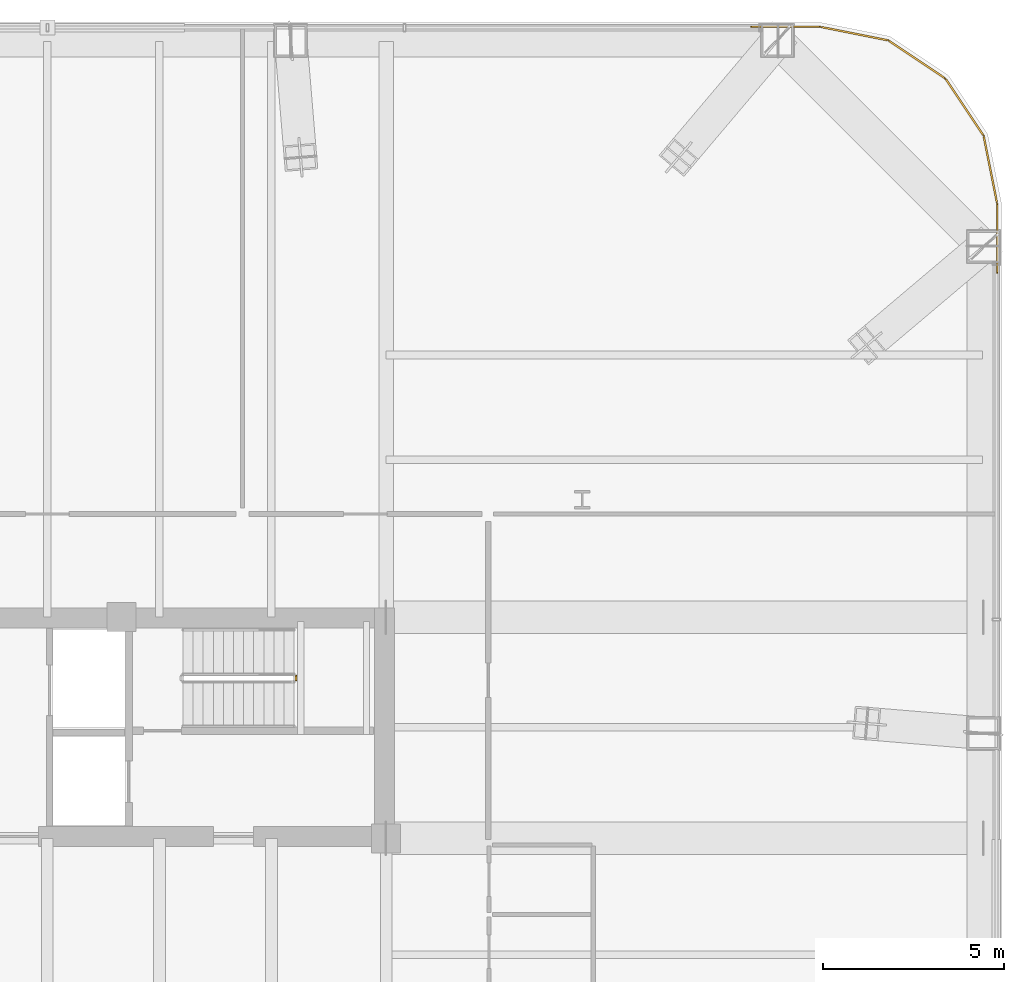
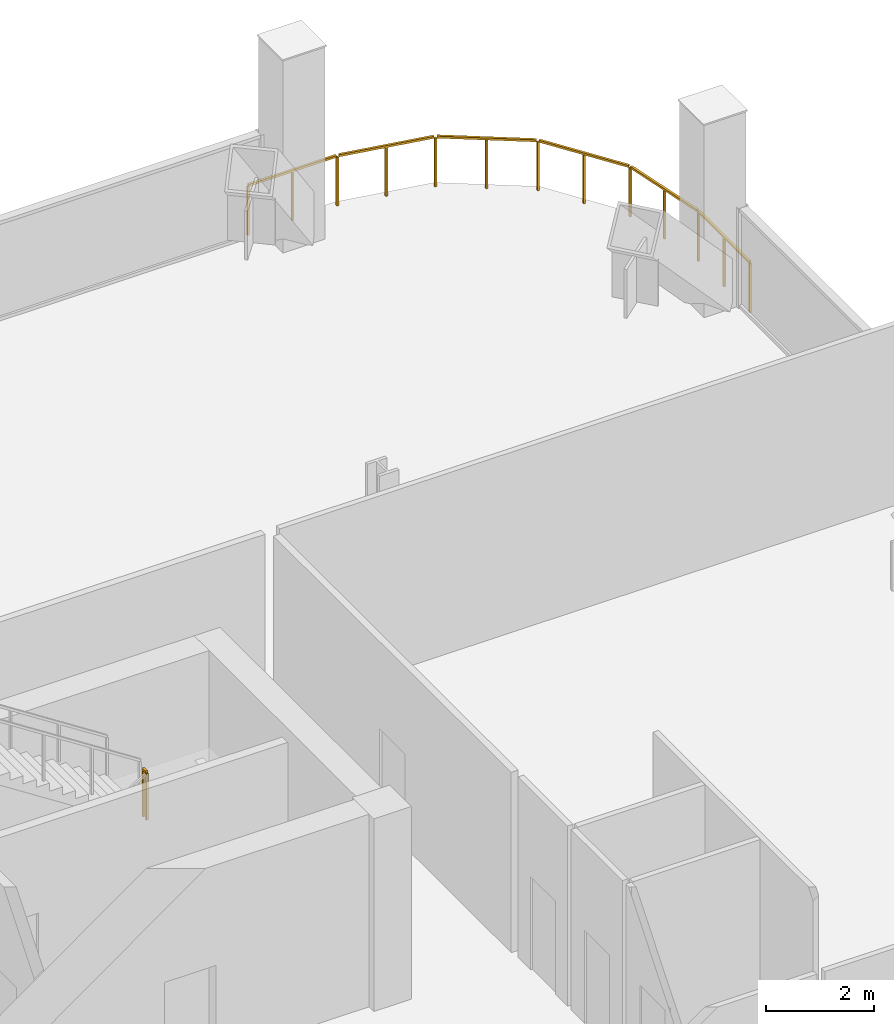
# One storey, part 38 of 38: 2 railings.
"""IFC4 building model written with IfcOpenShell, lengths in metres."""

from ifc_helpers import new_model, si_unit, direction, frame, origin, origin_2d, place, context, subcontext, project, spatial, rectangle, extrude, material, type_object, element, save


model = new_model("IFC4")

# Units and contexts
model_context = context("Model", 3, precision=1e-05, world=origin(), true_north=direction((0.0, 1.0)))
body_context = subcontext(model_context, "Body", "Model", "MODEL_VIEW")
ifc_project = project(units=[si_unit("LENGTHUNIT", "METRE"), si_unit("AREAUNIT", "SQUARE_METRE"), si_unit("VOLUMEUNIT", "CUBIC_METRE"), si_unit("PLANEANGLEUNIT", "RADIAN"), si_unit("MASSUNIT", "GRAM", prefix="KILO")], contexts=[model_context])

# Site, building, storey
site_placement = place(None, origin())
site = spatial("IfcSite", under=ifc_project, at=site_placement, CompositionType="ELEMENT")
building_placement = place(site_placement, origin())
building = spatial("IfcBuilding", under=site, at=building_placement, Name="Qhalaya Broadcast Tower", CompositionType="ELEMENT")
storey_placement = place(building_placement, frame((0.0, 0.0, 53.550048828125)))
storey = spatial("IfcBuildingStorey", under=building, at=storey_placement, Name="L15", CompositionType="ELEMENT", Elevation=53.550048828125)

# Railings
ifc_material = material(Name="Powder-Coated Galvanised Steel", Category="steel")
railing_type_1 = type_object("IfcRailingType", Name="Stair Well & Landing Guardrail 1100", PredefinedType="GUARDRAIL", material=ifc_material)
railing_1_placement = place(storey_placement, frame((6.8798828125, 8.199951171875, 2.175048828125)))
element("IfcRailing", 1, at=railing_1_placement, inside=storey, type_object=railing_type_1, Name="L15 ST-1 Stair Guard 2", PredefinedType="GUARDRAIL", context=body_context, shape_type="SweptSolid", body=[
    extrude(rectangle(XDim=0.048095703125, YDim=0.048095703125, at=origin_2d()), frame((0.0, 0.0, 1.076171875), z_axis=(0.0, 1.0, 0.0), x_axis=(-1.0, 0.0, 0.0)), (0.0, 0.0, 1.0), 0.1201171875),
    extrude(rectangle(XDim=0.0419921875, YDim=0.0419921875, at=origin_2d()), origin(), (0.0, 0.0, 1.0), 1.050048828125),
    extrude(rectangle(XDim=0.0419921875, YDim=0.0419921875, at=origin_2d()), frame((0.0, 0.1201171875, 0.0)), (0.0, 0.0, 1.0), 1.050048828125),
])
railing_type_2 = type_object("IfcRailingType", Name="Terrace, Sky-Pool & Lookout Glass Balustrade 1150", PredefinedType="BALUSTRADE", material=ifc_material)
railing_2_placement = place(storey_placement, frame((19.48193359375, 26.280029296875, 0.0)))
element("IfcRailing", 2, at=railing_2_placement, inside=storey, type_object=railing_type_2, Name="L15 Rounded Corner Perimeter Guard 04", PredefinedType="BALUSTRADE", context=body_context, shape_type="SweptSolid", body=[
    extrude(rectangle(XDim=0.048095703125, YDim=0.048095703125, at=origin_2d()), frame((0.0, 0.0, 1.1259765625), z_axis=(1.0, 0.0, 0.0), x_axis=(0.0, 1.0, 0.0)), (0.0, 0.0, 1.0), 1.87744140625),
    extrude(rectangle(XDim=0.048095703125, YDim=0.048095703125, at=origin_2d()), frame((1.9345703125, -0.005615234375, 1.1259765625), z_axis=(0.980795810058, -0.195037378397, 0.0), x_axis=(0.195037378397, 0.980795810058, 0.0)), (0.0, 0.0, 1.0), 1.857421875),
    extrude(rectangle(XDim=0.048095703125, YDim=0.048095703125, at=origin_2d()), frame((3.80859375, -0.3896484375, 1.1259765625), z_axis=(0.831477548332, -0.555558355728, 0.0), x_axis=(0.555558355728, 0.831477548332, 0.0)), (0.0, 0.0, 1.0), 1.845458984375),
    extrude(rectangle(XDim=0.048095703125, YDim=0.048095703125, at=origin_2d()), frame((5.38330078125, -1.454833984375, 1.1259765625), z_axis=(0.555558355728, -0.831477548332, 0.0), x_axis=(0.831477548332, 0.555558355728, 0.0)), (0.0, 0.0, 1.0), 1.845458984375),
    extrude(rectangle(XDim=0.048095703125, YDim=0.048095703125, at=origin_2d()), frame((6.43017578125, -3.041748046875, 1.1259765625), z_axis=(0.195037378397, -0.980795810058, 0.0), x_axis=(0.980795810058, 0.195037378397, 0.0)), (0.0, 0.0, 1.0), 1.857421875),
    extrude(rectangle(XDim=0.048095703125, YDim=0.048095703125, at=origin_2d()), frame((6.798095703125, -4.920654296875, 1.1259765625), z_axis=(0.0, -1.0, 0.0), x_axis=(1.0, 0.0, 0.0)), (0.0, 0.0, 1.0), 1.87744140625),
    extrude(rectangle(XDim=0.0419921875, YDim=0.0419921875, at=origin_2d()), origin(), (0.0, 0.0, 1.0), 1.099853515625),
    extrude(rectangle(XDim=0.0419921875, YDim=0.0419921875, at=origin_2d()), frame((0.953125, 0.0, 0.0)), (0.0, 0.0, 1.0), 1.099853515625),
    extrude(rectangle(XDim=0.0419921875, YDim=0.0419921875, at=origin_2d()), frame((1.90625, 0.0, 0.0)), (0.0, 0.0, 1.0), 1.099853515625),
    extrude(rectangle(XDim=0.0419921875, YDim=0.0419921875, at=origin_2d()), frame((2.845458984375, -0.186767578125, 0.0)), (0.0, 0.0, 1.0), 1.099853515625),
    extrude(rectangle(XDim=0.0419921875, YDim=0.0419921875, at=origin_2d()), frame((3.78466796875, -0.37353515625, 0.0)), (0.0, 0.0, 1.0), 1.099853515625),
    extrude(rectangle(XDim=0.0419921875, YDim=0.0419921875, at=origin_2d()), frame((4.575927734375, -0.90234375, 0.0)), (0.0, 0.0, 1.0), 1.099853515625),
    extrude(rectangle(XDim=0.0419921875, YDim=0.0419921875, at=origin_2d()), frame((5.3671875, -1.430908203125, 0.0)), (0.0, 0.0, 1.0), 1.099853515625),
    extrude(rectangle(XDim=0.0419921875, YDim=0.0419921875, at=origin_2d()), frame((5.89599609375, -2.22216796875, 0.0)), (0.0, 0.0, 1.0), 1.099853515625),
    extrude(rectangle(XDim=0.0419921875, YDim=0.0419921875, at=origin_2d()), frame((6.424560546875, -3.013427734375, 0.0)), (0.0, 0.0, 1.0), 1.099853515625),
    extrude(rectangle(XDim=0.0419921875, YDim=0.0419921875, at=origin_2d()), frame((6.611328125, -3.95263671875, 0.0)), (0.0, 0.0, 1.0), 1.099853515625),
    extrude(rectangle(XDim=0.0419921875, YDim=0.0419921875, at=origin_2d()), frame((6.798095703125, -4.891845703125, 0.0)), (0.0, 0.0, 1.0), 1.099853515625),
    extrude(rectangle(XDim=0.0419921875, YDim=0.0419921875, at=origin_2d()), frame((6.798095703125, -5.844970703125, 0.0)), (0.0, 0.0, 1.0), 1.099853515625),
    extrude(rectangle(XDim=0.0419921875, YDim=0.0419921875, at=origin_2d()), frame((6.798095703125, -6.798095703125, 0.0)), (0.0, 0.0, 1.0), 1.099853515625),
])

save(model, "model.ifc")
